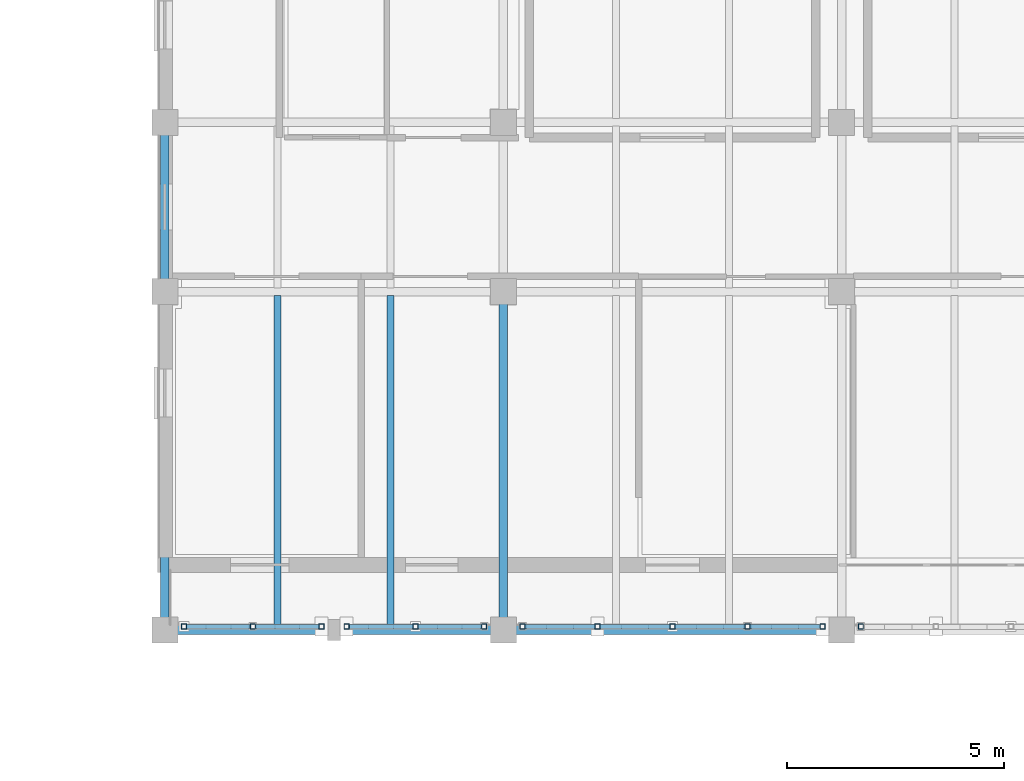
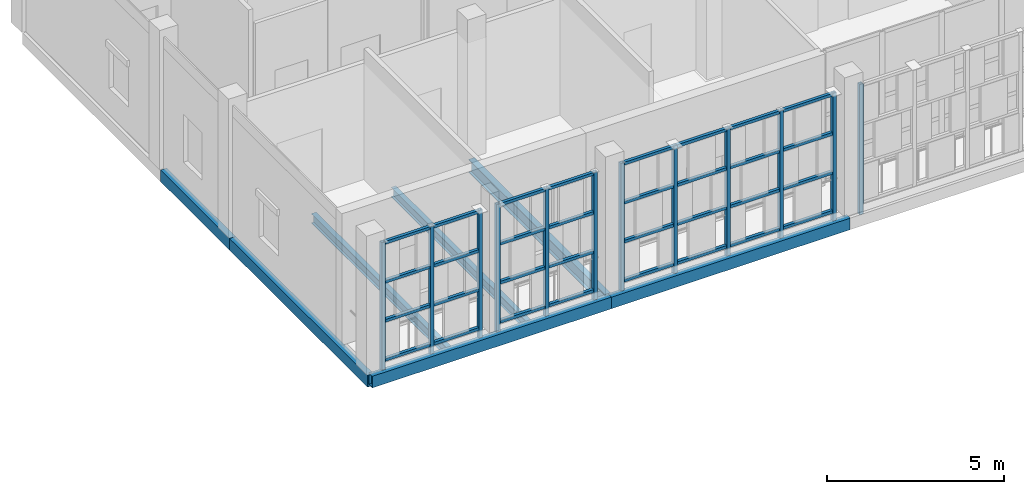
# One storey, part 45 of 138: 44 members, 7 beams.
"""IFC4 building model written with IfcOpenShell, lengths in metres."""

import ifcopenshell
import ifcopenshell.guid

model = None  # the IFC model being written
_history = None  # IfcOwnerHistory: only IFC2X3 demands one
_inside = {}  # id of a spatial element -> (the spatial element, [elements in it])
_under = {}  # id of a project, library or spatial element -> (it, [spatial elements below it])
_declared = {}  # id of a project -> (the project, [libraries it declares])
_typed = {}  # id of a type object -> (the type object, [elements of that type])
_made_of = {}  # id of a material, layer set ... -> (it, [elements and type objects made of it])


def new_model(schema):
    """Start an empty IFC model of exactly this schema.

    Asked for "IFC4X3", IfcOpenShell would pick the latest addendum, in which some entities
    have other attributes; the version numbers below select the first issue.
    IFC2X3 requires an IfcOwnerHistory on every rooted entity: one is made here for all.
    """
    global model, _history
    if schema == "IFC4X3":
        model = ifcopenshell.file(schema_version=(4, 3, 0, 0))
    else:
        model = ifcopenshell.file(schema=schema)
    _inside.clear()
    _under.clear()
    _declared.clear()
    _typed.clear()
    _made_of.clear()
    _history = None
    if model.schema == "IFC2X3":
        org = make("IfcOrganization", Name="unknown")
        user = make(
            "IfcPersonAndOrganization",
            ThePerson=make("IfcPerson", FamilyName="unknown"),
            TheOrganization=org,
        )
        app = make(
            "IfcApplication",
            ApplicationDeveloper=org,
            Version="unknown",
            ApplicationFullName="unknown",
            ApplicationIdentifier="unknown",
        )
        _history = make(
            "IfcOwnerHistory",
            OwningUser=user,
            OwningApplication=app,
            ChangeAction="ADDED",
            CreationDate=0,
        )
    return model


def make(cls, **values):
    """One entity of the class cls with the attributes given. An attribute that is None is left unset."""
    return model.create_entity(
        cls, **{name: value for name, value in values.items() if value is not None}
    )


def rooted(cls, **values):
    """An entity with a GlobalId (a new one), such as an element, a storey or a relation."""
    return make(cls, GlobalId=ifcopenshell.guid.new(), OwnerHistory=_history, **values)


def si_unit(unit_type, name, prefix=None):
    """IfcSIUnit, for example si_unit("LENGTHUNIT", "METRE", prefix="MILLI")."""
    return make("IfcSIUnit", UnitType=unit_type, Prefix=prefix, Name=name)


def assignment(units):
    """IfcUnitAssignment: the units of a project."""
    return None if units is None else make("IfcUnitAssignment", Units=units)


def point(xyz):
    """IfcCartesianPoint."""
    return None if xyz is None else make("IfcCartesianPoint", Coordinates=xyz)


def direction(xyz):
    """IfcDirection."""
    return None if xyz is None else make("IfcDirection", DirectionRatios=xyz)


def frame(location, z_axis=None, x_axis=None):
    """IfcAxis2Placement3D, a coordinate frame: its origin and axes. An axis left out is left unset."""
    return make(
        "IfcAxis2Placement3D",
        Location=point(location),
        Axis=direction(z_axis),
        RefDirection=direction(x_axis),
    )


def frame_2d(location, x_axis=None):
    """IfcAxis2Placement2D, a coordinate frame in the plane: its origin and x axis."""
    return make(
        "IfcAxis2Placement2D", Location=point(location), RefDirection=direction(x_axis)
    )


def origin():
    """The frame at (0, 0, 0) with its axes left unset."""
    return frame((0.0, 0.0, 0.0))


def origin_2d():
    """The frame at (0, 0) in the plane with its x axis left unset."""
    return frame_2d((0.0, 0.0))


def place(relative_to, where):
    """IfcLocalPlacement: puts the frame where relative to a parent placement (None: the world)."""
    return make(
        "IfcLocalPlacement", PlacementRelTo=relative_to, RelativePlacement=where
    )


def context(
    kind, dimensions, precision=None, world=None, true_north=None, identifier=None
):
    """IfcGeometricRepresentationContext, for example the 3D "Model" context."""
    return make(
        "IfcGeometricRepresentationContext",
        ContextIdentifier=identifier,
        ContextType=kind,
        CoordinateSpaceDimension=dimensions,
        Precision=precision,
        WorldCoordinateSystem=world,
        TrueNorth=true_north,
    )


def subcontext(parent, identifier, kind, view, scale=None):
    """IfcGeometricRepresentationSubContext, for example "Body" below "Model"."""
    return make(
        "IfcGeometricRepresentationSubContext",
        ContextIdentifier=identifier,
        ContextType=kind,
        ParentContext=parent,
        TargetScale=scale,
        TargetView=view,
    )


def project(units=None, contexts=None):
    """IfcProject with its units and contexts."""
    return rooted(
        "IfcProject",
        Name="project",
        RepresentationContexts=contexts,
        UnitsInContext=assignment(units),
    )


def spatial(cls, under=None, at=None, **own):
    """A site, building, storey or space (cls), placed at a placement, below another one or the project."""
    s = rooted(cls, ObjectPlacement=at, **own)
    if under is not None:
        _under.setdefault(under.id(), (under, []))[1].append(s)
    return s


def profile(cls, at=None, kind="AREA", **sizes):
    """A parametric profile (cls). Its sizes go by their IFC names, for example OverallWidth=200.0."""
    return make(cls, ProfileType=kind, Position=at, **sizes)


def hollow_rectangle(**sizes):
    """IfcRectangleHollowProfileDef."""
    return profile("IfcRectangleHollowProfileDef", **sizes)


def i_section(**sizes):
    """IfcIShapeProfileDef."""
    return profile("IfcIShapeProfileDef", **sizes)


def extrude(swept, where, along, depth):
    """IfcExtrudedAreaSolid: the profile swept, set in the frame where, extruded along a direction by depth."""
    return make(
        "IfcExtrudedAreaSolid",
        SweptArea=swept,
        Position=where,
        ExtrudedDirection=direction(along),
        Depth=depth,
    )


def shape(context_of_items, identifier, shape_type, items):
    """IfcShapeRepresentation: the items that make up one representation, for example the "Body"."""
    return make(
        "IfcShapeRepresentation",
        ContextOfItems=context_of_items,
        RepresentationIdentifier=identifier,
        RepresentationType=shape_type,
        Items=items,
    )


def material(Name=None, Category=None):
    """IfcMaterial."""
    return make("IfcMaterial", Name=Name, Category=Category)


def material_profile(
    of_material, cross_section, Name=None, Category=None, Priority=None
):
    """IfcMaterialProfile: a cross section and its material."""
    return make(
        "IfcMaterialProfile",
        Name=Name,
        Material=of_material,
        Profile=cross_section,
        Priority=Priority,
        Category=Category,
    )


def profile_set(profiles, Name=None, composite=None):
    """IfcMaterialProfileSet."""
    return make(
        "IfcMaterialProfileSet",
        Name=Name,
        MaterialProfiles=profiles,
        CompositeProfile=composite,
    )


def made_of(thing, what):
    """Note that an element or type object is made of a material, layer set ...; save() writes the relation."""
    if what is not None:
        _made_of.setdefault(what.id(), (what, []))[1].append(thing)
    return thing


def type_object(cls, material=None, **own):
    """A type object (cls), such as IfcWallType, which elements share."""
    return made_of(rooted(cls, **own), material)


def element(
    cls,
    number,
    at=None,
    inside=None,
    cuts=None,
    type_object=None,
    material=None,
    context=None,
    identifier="Body",
    shape_type=None,
    held_by="IfcProductDefinitionShape",
    body=None,
    shapes=None,
    **own,
):
    """One element of the class cls, such as IfcWall. Its Tag is "e" and its number.

    at: its placement. inside: the storey or other place that contains it. cuts: it is an
    opening in that element (IfcRelVoidsElement). A single representation is given by context,
    identifier, shape_type and body (its items); several are given by shapes. held_by: the class
    of the entity that holds the representations. save() writes the other relations.
    """
    e = rooted(cls, Tag="e%d" % number, ObjectPlacement=at, **own)
    if body is not None:
        shapes = [shape(context, identifier, shape_type, body)]
    if shapes is not None:
        e.Representation = make(held_by, Representations=shapes)
    if inside is not None:
        _inside.setdefault(inside.id(), (inside, []))[1].append(e)
    if cuts is not None:
        rooted(
            "IfcRelVoidsElement", RelatingBuildingElement=cuts, RelatedOpeningElement=e
        )
    if type_object is not None:
        _typed.setdefault(type_object.id(), (type_object, []))[1].append(e)
    return made_of(e, material)


def aggregate(whole, parts):
    """IfcRelAggregates: a whole, such as a stair, and the parts it consists of."""
    return rooted("IfcRelAggregates", RelatingObject=whole, RelatedObjects=parts)


def save(model, path):
    """Write the relations noted so far, then the file.

    IfcRelAggregates (storeys below a building ...), IfcRelContainedInSpatialStructure (elements
    in a storey), IfcRelDefinesByType, IfcRelAssociatesMaterial and IfcRelDeclares: one each for
    every whole, place, type object, material and project.
    """
    for whole, parts in _under.values():
        aggregate(whole, parts)
    for where, things in _inside.values():
        rooted(
            "IfcRelContainedInSpatialStructure",
            RelatedElements=things,
            RelatingStructure=where,
        )
    for kind, things in _typed.values():
        rooted("IfcRelDefinesByType", RelatedObjects=things, RelatingType=kind)
    for what, things in _made_of.values():
        rooted("IfcRelAssociatesMaterial", RelatedObjects=things, RelatingMaterial=what)
    for by, libraries in _declared.values():
        rooted("IfcRelDeclares", RelatingContext=by, RelatedDefinitions=libraries)
    model.write(path)


model = new_model("IFC4")

# Units and contexts
model_context = context("Model", 3, precision=1e-05, world=origin(), true_north=direction((0.0, 1.0)))
body_context = subcontext(model_context, "Body", "Model", "MODEL_VIEW")
ifc_project = project(units=[si_unit("LENGTHUNIT", "METRE"), si_unit("AREAUNIT", "SQUARE_METRE"), si_unit("VOLUMEUNIT", "CUBIC_METRE"), si_unit("PLANEANGLEUNIT", "RADIAN"), si_unit("MASSUNIT", "GRAM", prefix="KILO")], contexts=[model_context])

# Site, building, storey
site_placement = place(None, origin())
site = spatial("IfcSite", under=ifc_project, at=site_placement, CompositionType="ELEMENT")
building_placement = place(site_placement, origin())
building = spatial("IfcBuilding", under=site, at=building_placement, Name="Celorna Specialist Clinic", CompositionType="ELEMENT")
storey_placement = place(building_placement, frame((0.0, 0.0, 4.800048828125)))
storey = spatial("IfcBuildingStorey", under=building, at=storey_placement, Name="L01", CompositionType="ELEMENT", Elevation=4.800048828125)

# Beams
ifc_material = material(Name="Steel S355", Category="steel")
ifc_material_profile_1 = material_profile(ifc_material, i_section(OverallWidth=0.18994140625, OverallDepth=0.449951171875, WebThickness=0.009521484375, FlangeThickness=0.0146484375, at=origin_2d()), Name="IPE 450")
ifc_profile_set_1 = profile_set([ifc_material_profile_1], Name="Steel S355")
beam_type_1 = type_object("IfcBeamType", Name="BM-09", PredefinedType="BEAM", material=ifc_profile_set_1)
beam_1_placement = place(storey_placement, frame((54.60009765625, 96.5, -0.485107421875), z_axis=(0.0, 1.0, 0.0), x_axis=(-1.0, 0.0, 0.0)))
element("IfcBeam", 1, at=beam_1_placement, inside=storey, type_object=beam_type_1, Name="Transverse girder BM-09 #936", PredefinedType="BEAM", context=body_context, shape_type="SweptSolid", body=[
    extrude(i_section(OverallWidth=0.18994140625, OverallDepth=0.449951171875, WebThickness=0.009521484375, FlangeThickness=0.0146484375, at=origin_2d()), origin(), (0.0, 0.0, 1.0), 7.800048828125),
])
ifc_material_profile_2 = material_profile(ifc_material, i_section(OverallWidth=0.159912109375, OverallDepth=0.330078125, WebThickness=0.007568359375, FlangeThickness=0.011474609375, at=origin_2d()), Name="IPE 330")
ifc_profile_set_2 = profile_set([ifc_material_profile_2], Name="Steel S355")
beam_type_2 = type_object("IfcBeamType", Name="BM-12", PredefinedType="JOIST", material=ifc_profile_set_2)
for number, where, z_axis, x_axis, name in (
    (2, (49.39990234375, 96.587890625, -0.425048828125), (0.0, 1.0, 0.0), (-1.0, 0.0, 0.0), "Secondary floor joist BM-12 #983"),
    (3, (52.0, 96.587890625, -0.425048828125), (0.0, 1.0, 0.0), (-1.0, 0.0, 0.0), "Secondary floor joist BM-12 #984"),
):
    element("IfcBeam", number, at=place(storey_placement, frame(where, z_axis=z_axis, x_axis=x_axis)), inside=storey, type_object=beam_type_2, Name=name, PredefinedType="JOIST", context=body_context, shape_type="SweptSolid", body=[
        extrude(i_section(OverallWidth=0.159912109375, OverallDepth=0.330078125, WebThickness=0.007568359375, FlangeThickness=0.011474609375, at=origin_2d()), origin(), (0.0, 0.0, 1.0), 7.6240234375),
    ])
ifc_material_profile_3 = material_profile(ifc_material, hollow_rectangle(XDim=0.199951171875, YDim=0.39990234375, WallThickness=0.011962890625, at=origin_2d()), Name="RHS 200x400x12")
ifc_profile_set_3 = profile_set([ifc_material_profile_3], Name="Steel S355")
beam_type_3 = type_object("IfcBeamType", Name="BM-15", PredefinedType="SPANDREL", material=ifc_profile_set_3)
beam_2_placement = place(storey_placement, frame((46.800048828125, 96.5, -0.4599609375), z_axis=(1.0, 0.0, 0.0), x_axis=(0.0, 1.0, 0.0)))
element("IfcBeam", 4, at=beam_2_placement, inside=storey, type_object=beam_type_3, Name="Spandrel beam BM-15 #869", PredefinedType="SPANDREL", context=body_context, shape_type="SweptSolid", body=[
    extrude(hollow_rectangle(XDim=0.199951171875, YDim=0.39990234375, WallThickness=0.011962890625, at=origin_2d()), origin(), (0.0, 0.0, 1.0), 7.800048828125),
])
beam_3_placement = place(storey_placement, frame((54.60009765625, 96.5, -0.4599609375), z_axis=(1.0, 0.0, 0.0), x_axis=(0.0, 1.0, 0.0)))
element("IfcBeam", 5, at=beam_3_placement, inside=storey, type_object=beam_type_3, Name="Spandrel beam BM-15 #870", PredefinedType="SPANDREL", context=body_context, shape_type="SweptSolid", body=[
    extrude(hollow_rectangle(XDim=0.199951171875, YDim=0.39990234375, WallThickness=0.011962890625, at=origin_2d()), origin(), (0.0, 0.0, 1.0), 7.7998046875),
])
beam_4_placement = place(storey_placement, frame((46.800048828125, 96.5, -0.4599609375), z_axis=(0.0, 1.0, 0.0), x_axis=(-1.0, 0.0, 0.0)))
element("IfcBeam", 6, at=beam_4_placement, inside=storey, type_object=beam_type_3, Name="Spandrel beam BM-15 #933", PredefinedType="SPANDREL", context=body_context, shape_type="SweptSolid", body=[
    extrude(hollow_rectangle(XDim=0.199951171875, YDim=0.39990234375, WallThickness=0.011962890625, at=origin_2d()), origin(), (0.0, 0.0, 1.0), 7.800048828125),
])
beam_5_placement = place(storey_placement, frame((46.800048828125, 104.300048828125, -0.4599609375), z_axis=(0.0, 1.0, 0.0), x_axis=(-1.0, 0.0, 0.0)))
element("IfcBeam", 7, at=beam_5_placement, inside=storey, type_object=beam_type_3, Name="Spandrel beam BM-15 #934", PredefinedType="SPANDREL", context=body_context, shape_type="SweptSolid", body=[
    extrude(hollow_rectangle(XDim=0.199951171875, YDim=0.39990234375, WallThickness=0.011962890625, at=origin_2d()), origin(), (0.0, 0.0, 1.0), 3.89990234375),
])

# Members
ifc_material_profile_4 = material_profile(ifc_material, hollow_rectangle(XDim=0.1201171875, YDim=0.1201171875, WallThickness=0.008056640625, at=origin_2d()), Name="SHS 120x120x8")
ifc_profile_set_4 = profile_set([ifc_material_profile_4], Name="Steel S355")
member_type_1 = type_object("IfcMemberType", Name="MB-11", PredefinedType="STUD", material=ifc_profile_set_4)
for number, where, z_axis, x_axis, name in (
    (8, (47.239990234375, 96.580078125, -0.360107421875), (0.0, 0.0, 1.0), (1.0, 0.0, 0.0), "Perforated screen steel post #707"),
    (9, (48.824951171875, 96.580078125, -0.360107421875), (0.0, 0.0, 1.0), (1.0, 0.0, 0.0), "Perforated screen steel post #708"),
    (10, (50.409912109375, 96.580078125, -0.360107421875), (0.0, 0.0, 1.0), (1.0, 0.0, 0.0), "Perforated screen steel post #709"),
    (11, (50.989990234375, 96.580078125, -0.360107421875), (0.0, 0.0, 1.0), (1.0, 0.0, 0.0), "Perforated screen steel post #718"),
    (12, (52.574951171875, 96.580078125, -0.360107421875), (0.0, 0.0, 1.0), (1.0, 0.0, 0.0), "Perforated screen steel post #719"),
    (13, (54.159912109375, 96.580078125, -0.360107421875), (0.0, 0.0, 1.0), (1.0, 0.0, 0.0), "Perforated screen steel post #720"),
    (14, (55.0400390625, 96.580078125, -0.360107421875), (0.0, 0.0, 1.0), (1.0, 0.0, 0.0), "Perforated screen steel post #729"),
    (15, (56.77001953125, 96.580078125, -0.360107421875), (0.0, 0.0, 1.0), (1.0, 0.0, 0.0), "Perforated screen steel post #730"),
    (16, (58.5, 96.580078125, -0.360107421875), (0.0, 0.0, 1.0), (1.0, 0.0, 0.0), "Perforated screen steel post #731"),
    (17, (60.22998046875, 96.580078125, -0.360107421875), (0.0, 0.0, 1.0), (1.0, 0.0, 0.0), "Perforated screen steel post #732"),
    (18, (61.9599609375, 96.580078125, -0.360107421875), (0.0, 0.0, 1.0), (1.0, 0.0, 0.0), "Perforated screen steel post #733"),
    (19, (62.840087890625, 96.580078125, -0.360107421875), (0.0, 0.0, 1.0), (1.0, 0.0, 0.0), "Perforated screen steel post #750"),
):
    element("IfcMember", number, at=place(storey_placement, frame(where, z_axis=z_axis, x_axis=x_axis)), inside=storey, type_object=member_type_1, Name=name, PredefinedType="STUD", context=body_context, shape_type="SweptSolid", body=[
        extrude(hollow_rectangle(XDim=0.1201171875, YDim=0.1201171875, WallThickness=0.008056640625, at=origin_2d()), origin(), (0.0, 0.0, 1.0), 4.5),
    ])
ifc_material_profile_5 = material_profile(ifc_material, hollow_rectangle(XDim=0.10009765625, YDim=0.10009765625, WallThickness=0.006103515625, at=origin_2d()), Name="SHS 100x100x6")
ifc_profile_set_5 = profile_set([ifc_material_profile_5], Name="Steel S355")
member_type_2 = type_object("IfcMemberType", Name="MB-12", PredefinedType="STUD", material=ifc_profile_set_5)
for number, where, z_axis, x_axis, name in (
    (20, (47.300048828125, 96.580078125, 0.050048828125), (1.0, 0.0, 0.0), (0.0, 1.0, 0.0), "Perforated screen rail #710"),
    (21, (47.300048828125, 96.580078125, 1.396728515625), (1.0, 0.0, 0.0), (0.0, 1.0, 0.0), "Perforated screen rail #711"),
    (22, (47.300048828125, 96.580078125, 2.7431640625), (1.0, 0.0, 0.0), (0.0, 1.0, 0.0), "Perforated screen rail #712"),
    (23, (47.300048828125, 96.580078125, 4.08984375), (1.0, 0.0, 0.0), (0.0, 1.0, 0.0), "Perforated screen rail #713"),
):
    element("IfcMember", number, at=place(storey_placement, frame(where, z_axis=z_axis, x_axis=x_axis)), inside=storey, type_object=member_type_2, Name=name, PredefinedType="STUD", context=body_context, shape_type="SweptSolid", body=[
        extrude(hollow_rectangle(XDim=0.10009765625, YDim=0.10009765625, WallThickness=0.006103515625, at=origin_2d()), origin(), (0.0, 0.0, 1.0), 1.46484375),
    ])
for number, where, z_axis, x_axis, name in (
    (24, (48.885009765625, 96.580078125, 0.050048828125), (1.0, 0.0, 0.0), (0.0, 1.0, 0.0), "Perforated screen rail #714"),
    (25, (48.885009765625, 96.580078125, 1.396728515625), (1.0, 0.0, 0.0), (0.0, 1.0, 0.0), "Perforated screen rail #715"),
    (26, (48.885009765625, 96.580078125, 2.7431640625), (1.0, 0.0, 0.0), (0.0, 1.0, 0.0), "Perforated screen rail #716"),
    (27, (48.885009765625, 96.580078125, 4.08984375), (1.0, 0.0, 0.0), (0.0, 1.0, 0.0), "Perforated screen rail #717"),
):
    element("IfcMember", number, at=place(storey_placement, frame(where, z_axis=z_axis, x_axis=x_axis)), inside=storey, type_object=member_type_2, Name=name, PredefinedType="STUD", context=body_context, shape_type="SweptSolid", body=[
        extrude(hollow_rectangle(XDim=0.10009765625, YDim=0.10009765625, WallThickness=0.006103515625, at=origin_2d()), origin(), (0.0, 0.0, 1.0), 1.465087890625),
    ])
for number, where, z_axis, x_axis, name in (
    (28, (51.050048828125, 96.580078125, 0.050048828125), (1.0, 0.0, 0.0), (0.0, 1.0, 0.0), "Perforated screen rail #721"),
    (29, (51.050048828125, 96.580078125, 1.396728515625), (1.0, 0.0, 0.0), (0.0, 1.0, 0.0), "Perforated screen rail #722"),
    (30, (51.050048828125, 96.580078125, 2.7431640625), (1.0, 0.0, 0.0), (0.0, 1.0, 0.0), "Perforated screen rail #723"),
    (31, (51.050048828125, 96.580078125, 4.08984375), (1.0, 0.0, 0.0), (0.0, 1.0, 0.0), "Perforated screen rail #724"),
):
    element("IfcMember", number, at=place(storey_placement, frame(where, z_axis=z_axis, x_axis=x_axis)), inside=storey, type_object=member_type_2, Name=name, PredefinedType="STUD", context=body_context, shape_type="SweptSolid", body=[
        extrude(hollow_rectangle(XDim=0.10009765625, YDim=0.10009765625, WallThickness=0.006103515625, at=origin_2d()), origin(), (0.0, 0.0, 1.0), 1.46484375),
    ])
for number, where, z_axis, x_axis, name in (
    (32, (52.635009765625, 96.580078125, 0.050048828125), (1.0, 0.0, 0.0), (0.0, 1.0, 0.0), "Perforated screen rail #725"),
    (33, (52.635009765625, 96.580078125, 1.396728515625), (1.0, 0.0, 0.0), (0.0, 1.0, 0.0), "Perforated screen rail #726"),
    (34, (52.635009765625, 96.580078125, 2.7431640625), (1.0, 0.0, 0.0), (0.0, 1.0, 0.0), "Perforated screen rail #727"),
    (35, (52.635009765625, 96.580078125, 4.08984375), (1.0, 0.0, 0.0), (0.0, 1.0, 0.0), "Perforated screen rail #728"),
):
    element("IfcMember", number, at=place(storey_placement, frame(where, z_axis=z_axis, x_axis=x_axis)), inside=storey, type_object=member_type_2, Name=name, PredefinedType="STUD", context=body_context, shape_type="SweptSolid", body=[
        extrude(hollow_rectangle(XDim=0.10009765625, YDim=0.10009765625, WallThickness=0.006103515625, at=origin_2d()), origin(), (0.0, 0.0, 1.0), 1.465087890625),
    ])
for number, where, z_axis, x_axis, name in (
    (36, (55.10009765625, 96.580078125, 0.050048828125), (1.0, 0.0, 0.0), (0.0, 1.0, 0.0), "Perforated screen rail #734"),
    (37, (55.10009765625, 96.580078125, 1.396728515625), (1.0, 0.0, 0.0), (0.0, 1.0, 0.0), "Perforated screen rail #735"),
    (38, (55.10009765625, 96.580078125, 2.7431640625), (1.0, 0.0, 0.0), (0.0, 1.0, 0.0), "Perforated screen rail #736"),
    (39, (55.10009765625, 96.580078125, 4.08984375), (1.0, 0.0, 0.0), (0.0, 1.0, 0.0), "Perforated screen rail #737"),
    (40, (56.830078125, 96.580078125, 0.050048828125), (1.0, 0.0, 0.0), (0.0, 1.0, 0.0), "Perforated screen rail #738"),
    (41, (56.830078125, 96.580078125, 1.396728515625), (1.0, 0.0, 0.0), (0.0, 1.0, 0.0), "Perforated screen rail #739"),
    (42, (56.830078125, 96.580078125, 2.7431640625), (1.0, 0.0, 0.0), (0.0, 1.0, 0.0), "Perforated screen rail #740"),
    (43, (56.830078125, 96.580078125, 4.08984375), (1.0, 0.0, 0.0), (0.0, 1.0, 0.0), "Perforated screen rail #741"),
    (44, (58.56005859375, 96.580078125, 0.050048828125), (1.0, 0.0, 0.0), (0.0, 1.0, 0.0), "Perforated screen rail #742"),
    (45, (58.56005859375, 96.580078125, 1.396728515625), (1.0, 0.0, 0.0), (0.0, 1.0, 0.0), "Perforated screen rail #743"),
    (46, (58.56005859375, 96.580078125, 2.7431640625), (1.0, 0.0, 0.0), (0.0, 1.0, 0.0), "Perforated screen rail #744"),
    (47, (58.56005859375, 96.580078125, 4.08984375), (1.0, 0.0, 0.0), (0.0, 1.0, 0.0), "Perforated screen rail #745"),
    (48, (60.2900390625, 96.580078125, 0.050048828125), (1.0, 0.0, 0.0), (0.0, 1.0, 0.0), "Perforated screen rail #746"),
    (49, (60.2900390625, 96.580078125, 1.396728515625), (1.0, 0.0, 0.0), (0.0, 1.0, 0.0), "Perforated screen rail #747"),
    (50, (60.2900390625, 96.580078125, 2.7431640625), (1.0, 0.0, 0.0), (0.0, 1.0, 0.0), "Perforated screen rail #748"),
    (51, (60.2900390625, 96.580078125, 4.08984375), (1.0, 0.0, 0.0), (0.0, 1.0, 0.0), "Perforated screen rail #749"),
):
    element("IfcMember", number, at=place(storey_placement, frame(where, z_axis=z_axis, x_axis=x_axis)), inside=storey, type_object=member_type_2, Name=name, PredefinedType="STUD", context=body_context, shape_type="SweptSolid", body=[
        extrude(hollow_rectangle(XDim=0.10009765625, YDim=0.10009765625, WallThickness=0.006103515625, at=origin_2d()), origin(), (0.0, 0.0, 1.0), 1.60986328125),
    ])

save(model, "model.ifc")
